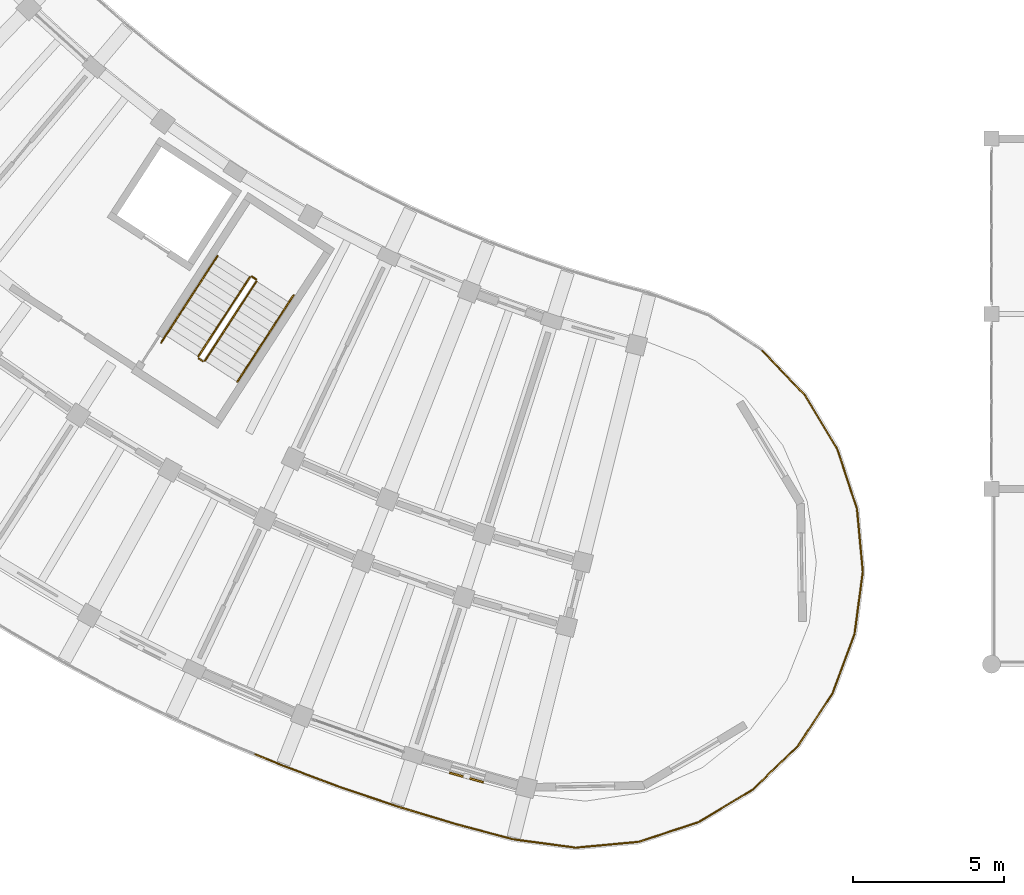
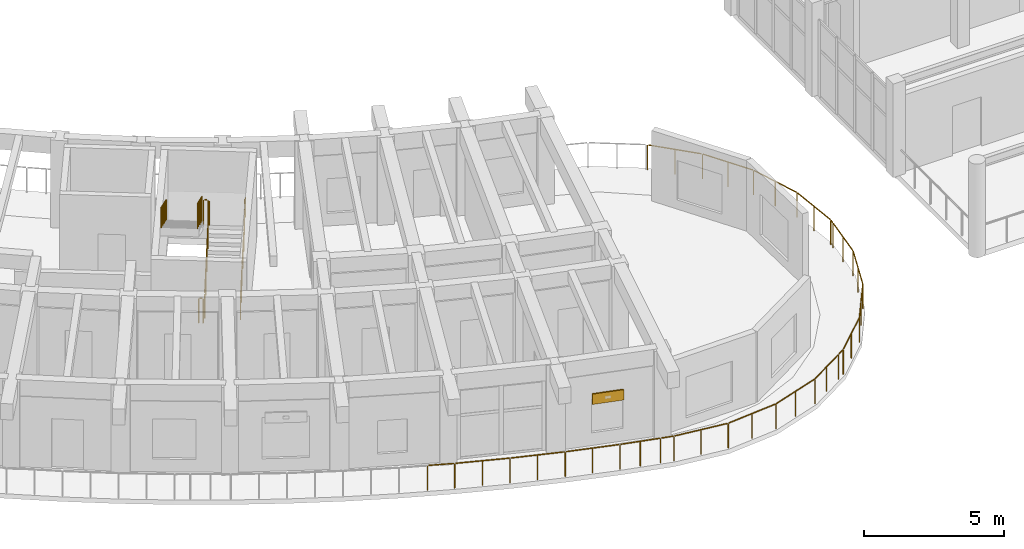
# One storey, part 109 of 128: 14 railings, 1 shading device.
"""IFC4 building model written with IfcOpenShell, lengths in metres."""

from ifc_helpers import new_model, si_unit, direction, frame, origin, origin_2d, place, context, subcontext, project, spatial, rectangle, circle, extrude, material, layer, layer_set, type_object, element, save


model = new_model("IFC4")

# Units and contexts
model_context = context("Model", 3, precision=1e-05, world=origin(), true_north=direction((0.0, 1.0)))
body_context = subcontext(model_context, "Body", "Model", "MODEL_VIEW")
ifc_project = project(units=[si_unit("LENGTHUNIT", "METRE"), si_unit("AREAUNIT", "SQUARE_METRE"), si_unit("VOLUMEUNIT", "CUBIC_METRE"), si_unit("PLANEANGLEUNIT", "RADIAN"), si_unit("MASSUNIT", "GRAM", prefix="KILO")], contexts=[model_context])

# Site, building, storey
site_placement = place(None, origin())
site = spatial("IfcSite", under=ifc_project, at=site_placement, CompositionType="ELEMENT")
building_placement = place(site_placement, origin())
building = spatial("IfcBuilding", under=site, at=building_placement, Name="Tanwirah Colonnade Gardens", CompositionType="ELEMENT")
storey_placement = place(building_placement, frame((0.0, 0.0, 4.760009765625)))
storey = spatial("IfcBuildingStorey", under=building, at=storey_placement, Name="L01", CompositionType="ELEMENT", Elevation=4.760009765625)

# Railings
ifc_material_1 = material(Name="Precast concrete C40/50", Category="concrete")
railing_type_1 = type_object("IfcRailingType", Name="BAL-EXT110", PredefinedType="BALUSTRADE", material=ifc_material_1)
railing_1_placement = place(storey_placement, frame((58.4072265625, 21.1796875, 0.0)))
element("IfcRailing", 1, at=railing_1_placement, inside=storey, type_object=railing_type_1, Name="Block C L01 Balcony Ribbon Balustrade 7", PredefinedType="BALUSTRADE", context=body_context, shape_type="SweptSolid", body=[
    extrude(circle(Radius=0.02392578125, at=origin_2d()), frame((0.021728515625, -0.0224609375, 1.076171875), z_axis=(0.692905401336, -0.721028504845, 0.0), x_axis=(0.721028504845, 0.692905401336, 0.0)), (0.0, 0.0, 1.0), 1.9775390625),
    extrude(circle(Radius=0.02392578125, at=origin_2d()), frame((1.4296875, -1.497802734375, 1.076171875), z_axis=(0.514994600754, -0.85719342111, 0.0), x_axis=(0.85719342111, 0.514994600754, 0.0)), (0.0, 0.0, 1.0), 2.0244140625),
    extrude(circle(Radius=0.02392578125, at=origin_2d()), frame((2.498046875, -3.28955078125, 1.076171875), z_axis=(0.311415597507, -0.950273816134, 0.0), x_axis=(0.950273816134, 0.311415597507, 0.0)), (0.0, 0.0, 1.0), 2.0244140625),
    extrude(circle(Radius=0.02392578125, at=origin_2d()), frame((3.14111328125, -5.274169921875, 1.076171875), z_axis=(0.092181027347, -0.995742264945, 0.0), x_axis=(0.995742264945, 0.092181027347, 0.0)), (0.0, 0.0, 1.0), 2.0244140625),
    extrude(circle(Radius=0.02392578125, at=origin_2d()), frame((3.326416015625, -7.35205078125, 1.076171875), z_axis=(-0.132485122951, -0.991184993932, 0.0), x_axis=(0.991184993932, -0.132485122951, 0.0)), (0.0, 0.0, 1.0), 0.136474609375),
    extrude(circle(Radius=0.02099609375, at=origin_2d()), origin(), (0.0, 0.0, 1.0), 1.049072265625),
    extrude(circle(Radius=0.02099609375, at=origin_2d()), frame((0.706787109375, -0.7353515625, 0.0)), (0.0, 0.0, 1.0), 1.049072265625),
    extrude(circle(Radius=0.02099609375, at=origin_2d()), frame((1.41357421875, -1.470947265625, 0.0)), (0.0, 0.0, 1.0), 1.049072265625),
    extrude(circle(Radius=0.02099609375, at=origin_2d()), frame((1.950927734375, -2.365234375, 0.0)), (0.0, 0.0, 1.0), 1.049072265625),
    extrude(circle(Radius=0.02099609375, at=origin_2d()), frame((2.48828125, -3.259765625, 0.0)), (0.0, 0.0, 1.0), 1.049072265625),
    extrude(circle(Radius=0.02099609375, at=origin_2d()), frame((2.813232421875, -4.25146484375, 0.0)), (0.0, 0.0, 1.0), 1.049072265625),
    extrude(circle(Radius=0.02099609375, at=origin_2d()), frame((3.13818359375, -5.242919921875, 0.0)), (0.0, 0.0, 1.0), 1.049072265625),
    extrude(circle(Radius=0.02099609375, at=origin_2d()), frame((3.234375, -6.281982421875, 0.0)), (0.0, 0.0, 1.0), 1.049072265625),
    extrude(circle(Radius=0.02099609375, at=origin_2d()), frame((3.33056640625, -7.321044921875, 0.0)), (0.0, 0.0, 1.0), 1.049072265625),
    extrude(circle(Radius=0.02099609375, at=origin_2d()), frame((3.30419921875, -7.518310546875, 0.0)), (0.0, 0.0, 1.0), 1.049072265625),
])
railing_2_placement = place(storey_placement, frame((61.71142578125, 13.661376953125, 0.0)))
element("IfcRailing", 2, at=railing_2_placement, inside=storey, type_object=railing_type_1, Name="Block C L01 Balcony Ribbon Balustrade 8", PredefinedType="BALUSTRADE", context=body_context, shape_type="SweptSolid", body=[
    extrude(circle(Radius=0.02392578125, at=origin_2d()), frame((-0.004150390625, -0.031005859375, 1.076171875), z_axis=(-0.131782511201, -0.991278653932, 0.0), x_axis=(0.991278653932, -0.131782511201, 0.0)), (0.0, 0.0, 1.0), 1.8251953125),
    extrude(circle(Radius=0.02392578125, at=origin_2d()), frame((-0.259765625, -1.900634765625, 1.076171875), z_axis=(-0.348994198599, -0.937124884604, 0.0), x_axis=(0.937124884604, -0.348994198599, 0.0)), (0.0, 0.0, 1.0), 2.024169921875),
    extrude(circle(Radius=0.02392578125, at=origin_2d()), frame((-0.994140625, -3.85302734375, 1.076171875), z_axis=(-0.548773979468, -0.835970764715, 0.0), x_axis=(0.835970764715, -0.548773979468, 0.0)), (0.0, 0.0, 1.0), 2.0244140625),
    extrude(circle(Radius=0.02392578125, at=origin_2d()), frame((-2.144775390625, -5.59326171875, 1.076171875), z_axis=(-0.721062309091, -0.692870223353, 0.0), x_axis=(0.692870223353, -0.721062309091, 0.0)), (0.0, 0.0, 1.0), 2.0244140625),
    extrude(circle(Radius=0.02392578125, at=origin_2d()), frame((-3.654052734375, -7.03369140625, 1.076171875), z_axis=(-0.857492925713, -0.514495755428, 0.0), x_axis=(0.514495755428, -0.857492925713, 0.0)), (0.0, 0.0, 1.0), 0.2890625),
    extrude(circle(Radius=0.02099609375, at=origin_2d()), origin(), (0.0, 0.0, 1.0), 1.049072265625),
    extrude(circle(Radius=0.02099609375, at=origin_2d()), frame((-0.12451171875, -0.935546875, 0.0)), (0.0, 0.0, 1.0), 1.049072265625),
    extrude(circle(Radius=0.02099609375, at=origin_2d()), frame((-0.248779296875, -1.871337890625, 0.0)), (0.0, 0.0, 1.0), 1.049072265625),
    extrude(circle(Radius=0.02099609375, at=origin_2d()), frame((-0.61279296875, -2.84912109375, 0.0)), (0.0, 0.0, 1.0), 1.049072265625),
    extrude(circle(Radius=0.02099609375, at=origin_2d()), frame((-0.97705078125, -3.826904296875, 0.0)), (0.0, 0.0, 1.0), 1.049072265625),
    extrude(circle(Radius=0.02099609375, at=origin_2d()), frame((-1.5498046875, -4.69921875, 0.0)), (0.0, 0.0, 1.0), 1.049072265625),
    extrude(circle(Radius=0.02099609375, at=origin_2d()), frame((-2.122314453125, -5.571533203125, 0.0)), (0.0, 0.0, 1.0), 1.049072265625),
    extrude(circle(Radius=0.02099609375, at=origin_2d()), frame((-2.874755859375, -6.29443359375, 0.0)), (0.0, 0.0, 1.0), 1.049072265625),
    extrude(circle(Radius=0.02099609375, at=origin_2d()), frame((-3.627197265625, -7.017578125, 0.0)), (0.0, 0.0, 1.0), 1.049072265625),
    extrude(circle(Radius=0.02099609375, at=origin_2d()), frame((-3.9287109375, -7.198486328125, 0.0)), (0.0, 0.0, 1.0), 1.049072265625),
])
railing_3_placement = place(storey_placement, frame((57.78271484375, 6.462890625, 0.0)))
element("IfcRailing", 3, at=railing_3_placement, inside=storey, type_object=railing_type_1, Name="Block C L01 Balcony Ribbon Balustrade 9", PredefinedType="BALUSTRADE", context=body_context, shape_type="SweptSolid", body=[
    extrude(circle(Radius=0.02392578125, at=origin_2d()), frame((-0.02685546875, -0.01611328125, 1.076171875), z_axis=(-0.857132694219, -0.515095665387, 0.0), x_axis=(0.515095665387, -0.857132694219, 0.0)), (0.0, 0.0, 1.0), 1.672607421875),
    extrude(circle(Radius=0.02392578125, at=origin_2d()), frame((-1.51708984375, -0.903564453125, 1.076171875), z_axis=(-0.950273816134, -0.311415597507, 0.0), x_axis=(0.311415597507, -0.950273816134, 0.0)), (0.0, 0.0, 1.0), 2.0244140625),
    extrude(circle(Radius=0.02392578125, at=origin_2d()), frame((-3.501708984375, -1.546630859375, 1.076171875), z_axis=(-0.995752995821, -0.0920650385, 0.0), x_axis=(0.0920650385, -0.995752995821, 0.0)), (0.0, 0.0, 1.0), 2.0244140625),
    extrude(circle(Radius=0.02392578125, at=origin_2d()), frame((-5.57958984375, -1.731689453125, 1.076171875), z_axis=(-0.991286952851, 0.131720071011, 0.0), x_axis=(-0.131720071011, -0.991286952851, 0.0)), (0.0, 0.0, 1.0), 2.0283203125),
    extrude(circle(Radius=0.02392578125, at=origin_2d()), frame((-7.6513671875, -1.452392578125, 1.076171875), z_axis=(-0.966202518502, 0.257784198974, 0.0), x_axis=(-0.257784198974, -0.966202518502, 0.0)), (0.0, 0.0, 1.0), 0.4375),
    extrude(circle(Radius=0.02099609375, at=origin_2d()), origin(), (0.0, 0.0, 1.0), 1.049072265625),
    extrude(circle(Radius=0.02099609375, at=origin_2d()), frame((-0.74365234375, -0.44677734375, 0.0)), (0.0, 0.0, 1.0), 1.049072265625),
    extrude(circle(Radius=0.02099609375, at=origin_2d()), frame((-1.4873046875, -0.893798828125, 0.0)), (0.0, 0.0, 1.0), 1.049072265625),
    extrude(circle(Radius=0.02099609375, at=origin_2d()), frame((-2.47900390625, -1.21875, 0.0)), (0.0, 0.0, 1.0), 1.049072265625),
    extrude(circle(Radius=0.02099609375, at=origin_2d()), frame((-3.470458984375, -1.543701171875, 0.0)), (0.0, 0.0, 1.0), 1.049072265625),
    extrude(circle(Radius=0.02099609375, at=origin_2d()), frame((-4.509521484375, -1.6396484375, 0.0)), (0.0, 0.0, 1.0), 1.049072265625),
    extrude(circle(Radius=0.02099609375, at=origin_2d()), frame((-5.548583984375, -1.73583984375, 0.0)), (0.0, 0.0, 1.0), 1.049072265625),
    extrude(circle(Radius=0.02099609375, at=origin_2d()), frame((-6.5849609375, -1.59814453125, 0.0)), (0.0, 0.0, 1.0), 1.049072265625),
    extrude(circle(Radius=0.02099609375, at=origin_2d()), frame((-7.62109375, -1.46044921875, 0.0)), (0.0, 0.0, 1.0), 1.049072265625),
    extrude(circle(Radius=0.02099609375, at=origin_2d()), frame((-8.104248046875, -1.33154296875, 0.0)), (0.0, 0.0, 1.0), 1.049072265625),
])
railing_4_placement = place(storey_placement, frame((49.678466796875, 5.13134765625, 0.0)))
element("IfcRailing", 4, at=railing_4_placement, inside=storey, type_object=railing_type_1, Name="Block C L01 Balcony Ribbon Balustrade 10", PredefinedType="BALUSTRADE", context=body_context, shape_type="SweptSolid", body=[
    extrude(circle(Radius=0.02392578125, at=origin_2d()), frame((-0.0302734375, 0.008056640625, 1.076171875), z_axis=(-0.966189083101, 0.257834551014, 0.0), x_axis=(-0.257834551014, -0.966189083101, 0.0)), (0.0, 0.0, 1.0), 1.440185546875),
    extrude(circle(Radius=0.02392578125, at=origin_2d()), frame((-1.48193359375, 0.396484375, 1.076171875), z_axis=(-0.957268624199, 0.289200243991, 0.0), x_axis=(-0.289200243991, -0.957268624199, 0.0)), (0.0, 0.0, 1.0), 1.944091796875),
    extrude(circle(Radius=0.02392578125, at=origin_2d()), frame((-3.40234375, 0.977783203125, 1.076171875), z_axis=(-0.947287006593, 0.320386215589, 0.0), x_axis=(-0.320386215589, -0.947287006593, 0.0)), (0.0, 0.0, 1.0), 1.94384765625),
    extrude(circle(Radius=0.02392578125, at=origin_2d()), frame((-5.302734375, 1.62158203125, 1.076171875), z_axis=(-0.93628917395, 0.351230099427, 0.0), x_axis=(-0.351230099427, -0.93628917395, 0.0)), (0.0, 0.0, 1.0), 1.9443359375),
    extrude(circle(Radius=0.02392578125, at=origin_2d()), frame((-7.18115234375, 2.327392578125, 1.076171875), z_axis=(-0.924320802518, 0.381616370237, 0.0), x_axis=(-0.381616370237, -0.924320802518, 0.0)), (0.0, 0.0, 1.0), 0.9150390625),
    extrude(circle(Radius=0.02099609375, at=origin_2d()), origin(), (0.0, 0.0, 1.0), 1.049072265625),
    extrude(circle(Radius=0.02099609375, at=origin_2d()), frame((-0.72607421875, 0.19384765625, 0.0)), (0.0, 0.0, 1.0), 1.049072265625),
    extrude(circle(Radius=0.02099609375, at=origin_2d()), frame((-1.451904296875, 0.387451171875, 0.0)), (0.0, 0.0, 1.0), 1.049072265625),
    extrude(circle(Radius=0.02099609375, at=origin_2d()), frame((-2.412353515625, 0.677734375, 0.0)), (0.0, 0.0, 1.0), 1.049072265625),
    extrude(circle(Radius=0.02099609375, at=origin_2d()), frame((-3.372802734375, 0.9677734375, 0.0)), (0.0, 0.0, 1.0), 1.049072265625),
    extrude(circle(Radius=0.02099609375, at=origin_2d()), frame((-4.3232421875, 1.2890625, 0.0)), (0.0, 0.0, 1.0), 1.049072265625),
    extrude(circle(Radius=0.02099609375, at=origin_2d()), frame((-5.2734375, 1.610595703125, 0.0)), (0.0, 0.0, 1.0), 1.049072265625),
    extrude(circle(Radius=0.02099609375, at=origin_2d()), frame((-6.212890625, 1.962890625, 0.0)), (0.0, 0.0, 1.0), 1.049072265625),
    extrude(circle(Radius=0.02099609375, at=origin_2d()), frame((-7.15234375, 2.3154296875, 0.0)), (0.0, 0.0, 1.0), 1.049072265625),
    extrude(circle(Radius=0.02099609375, at=origin_2d()), frame((-8.055908203125, 2.6884765625, 0.0)), (0.0, 0.0, 1.0), 1.049072265625),
])
ifc_material_2 = material(Name="Powder-coated galvanized steel", Category="steel")
railing_type_2 = type_object("IfcRailingType", Name="GRD-ST110", PredefinedType="GUARDRAIL", material=ifc_material_2)
railing_5_placement = place(storey_placement, frame((39.955078125, 20.84814453125, 0.169921875)))
element("IfcRailing", 5, at=railing_5_placement, inside=storey, type_object=railing_type_2, Name="L01 ST-C2 stair guard 1", PredefinedType="GUARDRAIL", context=body_context, shape_type="SweptSolid", body=[
    extrude(circle(Radius=0.02392578125, at=origin_2d()), frame((0.0146484375, 0.0224609375, 1.092041015625), z_axis=(0.467710535485, 0.720259510459, 0.512321278681), x_axis=(-0.83868730023, 0.544613268689, 0.0)), (0.0, 0.0, 1.0), 3.587646484375),
    extrude(circle(Radius=0.02099609375, at=origin_2d()), origin(), (0.0, 0.0, 1.0), 1.049072265625),
    extrude(circle(Radius=0.02099609375, at=origin_2d()), frame((0.4267578125, 0.6572265625, 0.467529296875)), (0.0, 0.0, 1.0), 1.049072265625),
    extrude(circle(Radius=0.02099609375, at=origin_2d()), frame((0.853515625, 1.314453125, 0.93505859375)), (0.0, 0.0, 1.0), 1.049072265625),
    extrude(circle(Radius=0.02099609375, at=origin_2d()), frame((1.280517578125, 1.971923828125, 1.402587890625)), (0.0, 0.0, 1.0), 1.049072265625),
    extrude(circle(Radius=0.02099609375, at=origin_2d()), frame((1.707275390625, 2.629150390625, 1.8701171875)), (0.0, 0.0, 1.0), 1.049072265625),
])
railing_6_placement = place(storey_placement, frame((41.647705078125, 23.546630859375, 2.0400390625)))
element("IfcRailing", 6, at=railing_6_placement, inside=storey, type_object=railing_type_2, Name="L01 ST-C2 stair guard 2", PredefinedType="GUARDRAIL", context=body_context, shape_type="SweptSolid", body=[
    extrude(circle(Radius=0.02392578125, at=origin_2d()), frame((-0.026123046875, 0.01708984375, 1.076171875), z_axis=(-0.838338936283, 0.545149362938, 0.0), x_axis=(-0.545149362938, -0.838338936283, 0.0)), (0.0, 0.0, 1.0), 0.097412109375),
    extrude(circle(Radius=0.02099609375, at=origin_2d()), origin(), (0.0, 0.0, 1.0), 1.049072265625),
    extrude(circle(Radius=0.02099609375, at=origin_2d()), frame((-0.134033203125, 0.087158203125, 0.0)), (0.0, 0.0, 1.0), 1.049072265625),
])
railing_7_placement = place(storey_placement, frame((41.4443359375, 23.618896484375, 2.2099609375)))
element("IfcRailing", 7, at=railing_7_placement, inside=storey, type_object=railing_type_2, Name="L01 ST-C2 stair guard 3", PredefinedType="GUARDRAIL", context=body_context, shape_type="SweptSolid", body=[
    extrude(circle(Radius=0.02392578125, at=origin_2d()), frame((-0.0146484375, -0.0224609375, 1.092041015625), z_axis=(-0.467710535485, -0.720259510459, 0.512321278681), x_axis=(0.83868730023, -0.544613268689, 0.0)), (0.0, 0.0, 1.0), 3.587646484375),
    extrude(circle(Radius=0.02099609375, at=origin_2d()), origin(), (0.0, 0.0, 1.0), 1.049072265625),
    extrude(circle(Radius=0.02099609375, at=origin_2d()), frame((-0.4267578125, -0.6572265625, 0.467529296875)), (0.0, 0.0, 1.0), 1.049072265625),
    extrude(circle(Radius=0.02099609375, at=origin_2d()), frame((-0.853515625, -1.314453125, 0.93505859375)), (0.0, 0.0, 1.0), 1.049072265625),
    extrude(circle(Radius=0.02099609375, at=origin_2d()), frame((-1.280517578125, -1.971923828125, 1.402587890625)), (0.0, 0.0, 1.0), 1.049072265625),
    extrude(circle(Radius=0.02099609375, at=origin_2d()), frame((-1.707275390625, -2.629150390625, 1.8701171875)), (0.0, 0.0, 1.0), 1.049072265625),
])
railing_8_placement = place(storey_placement, frame((39.8857421875, 20.83349609375, 0.0)))
element("IfcRailing", 8, at=railing_8_placement, inside=storey, type_object=railing_type_2, Name="L01 ST-C2 stair guard 4", PredefinedType="GUARDRAIL", context=body_context, shape_type="SweptSolid", body=[
    extrude(circle(Radius=0.02392578125, at=origin_2d()), frame((-0.026123046875, 0.01708984375, 1.076171875), z_axis=(-0.838338936283, 0.545149362938, 0.0), x_axis=(-0.545149362938, -0.838338936283, 0.0)), (0.0, 0.0, 1.0), 0.097412109375),
    extrude(circle(Radius=0.02099609375, at=origin_2d()), origin(), (0.0, 0.0, 1.0), 1.049072265625),
    extrude(circle(Radius=0.02099609375, at=origin_2d()), frame((-0.134033203125, 0.087158203125, 0.0)), (0.0, 0.0, 1.0), 1.049072265625),
])
ifc_material_3 = material(Name="Brushed bronze stainless steel", Category="steel")
railing_type_3 = type_object("IfcRailingType", Name="HR-ST090", PredefinedType="HANDRAIL", material=ifc_material_3)
for number, where, name in (
    (9, (41.028564453125, 20.151123046875, 0.169921875), "L01 ST-C2 stair handrail 1"),
    (10, (41.6494140625, 21.107177734375, 0.85595703125), "L01 ST-C2 stair handrail 2"),
    (11, (42.270263671875, 22.063232421875, 1.5419921875), "L01 ST-C2 stair handrail 3"),
):
    element("IfcRailing", number, at=place(storey_placement, frame(where)), inside=storey, type_object=railing_type_3, Name=name, PredefinedType="HANDRAIL", context=body_context, shape_type="SweptSolid", body=[
        extrude(circle(Radius=0.02392578125, at=origin_2d()), frame((0.0146484375, 0.0224609375, 0.89208984375), z_axis=(0.466640815248, 0.718586485455, 0.515635348348), x_axis=(-0.838678407117, 0.544626963559, 0.0)), (0.0, 0.0, 1.0), 1.267822265625),
        extrude(circle(Radius=0.02099609375, at=origin_2d()), origin(), (0.0, 0.0, 1.0), 0.848876953125),
        extrude(circle(Radius=0.02099609375, at=origin_2d()), frame((0.310546875, 0.47802734375, 0.343017578125)), (0.0, 0.0, 1.0), 0.848876953125),
        extrude(circle(Radius=0.02099609375, at=origin_2d()), frame((0.620849609375, 0.9560546875, 0.68603515625)), (0.0, 0.0, 1.0), 0.848876953125),
    ])
for number, where, name in (
    (12, (40.370849609375, 24.316162109375, 2.2099609375), "L01 ST-C2 stair handrail 4"),
    (13, (39.75, 23.360107421875, 2.89599609375), "L01 ST-C2 stair handrail 5"),
    (14, (39.129150390625, 22.404052734375, 3.58203125), "L01 ST-C2 stair handrail 6"),
):
    element("IfcRailing", number, at=place(storey_placement, frame(where)), inside=storey, type_object=railing_type_3, Name=name, PredefinedType="HANDRAIL", context=body_context, shape_type="SweptSolid", body=[
        extrude(circle(Radius=0.02392578125, at=origin_2d()), frame((-0.0146484375, -0.0224609375, 0.89208984375), z_axis=(-0.466640815248, -0.718586485455, 0.515635348348), x_axis=(0.838678407117, -0.544626963559, 0.0)), (0.0, 0.0, 1.0), 1.267822265625),
        extrude(circle(Radius=0.02099609375, at=origin_2d()), origin(), (0.0, 0.0, 1.0), 0.848876953125),
        extrude(circle(Radius=0.02099609375, at=origin_2d()), frame((-0.310546875, -0.47802734375, 0.343017578125)), (0.0, 0.0, 1.0), 0.848876953125),
        extrude(circle(Radius=0.02099609375, at=origin_2d()), frame((-0.620849609375, -0.9560546875, 0.68603515625)), (0.0, 0.0, 1.0), 0.848876953125),
    ])

# Shading device
ifc_material_4 = material(Name="Perforated architectural bronze aluminium", Category="aluminium")
ifc_layer = layer(ifc_material_4, 0.050048828125)
ifc_layer_set = layer_set([ifc_layer], Name="Perforated architectural bronze aluminium")
shading_device_type = type_object("IfcShadingDeviceType", Name="SHD-OVH1", PredefinedType="SHUTTER", material=ifc_layer_set)
shading_device_placement = place(storey_placement, frame((48.614501953125, 7.0478515625, 1.8701171875), z_axis=(0.0, 0.0, 1.0), x_axis=(0.961860085273, -0.273541909692, 0.0)))
element("IfcShadingDevice", 15, at=shading_device_placement, inside=storey, type_object=shading_device_type, Name="Solar shading louver hood C-L01-15", PredefinedType="SHUTTER", context=body_context, shape_type="SweptSolid", body=[
    extrude(rectangle(XDim=1.159912109375, YDim=0.06005859375, at=origin_2d()), origin(), (0.0, 0.0, 1.0), 0.449951171875),
])

save(model, "model.ifc")
